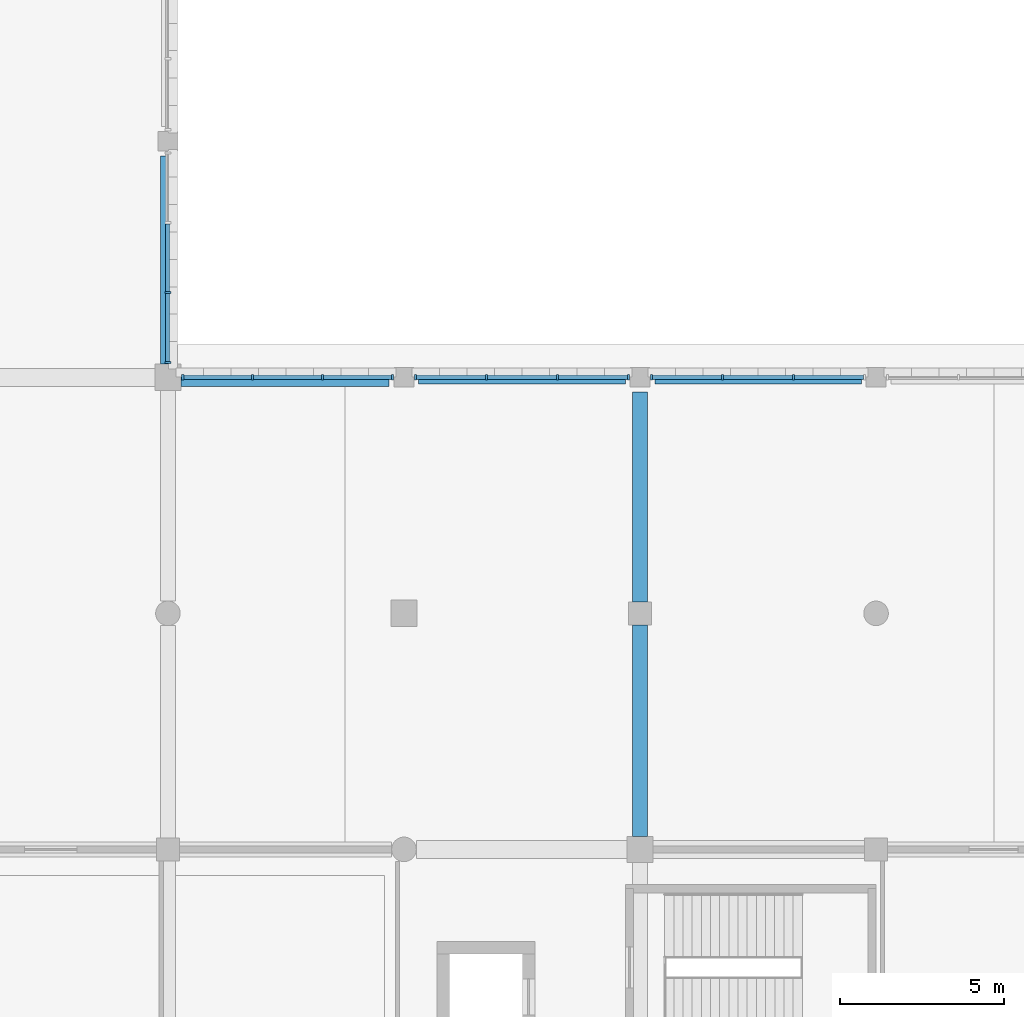
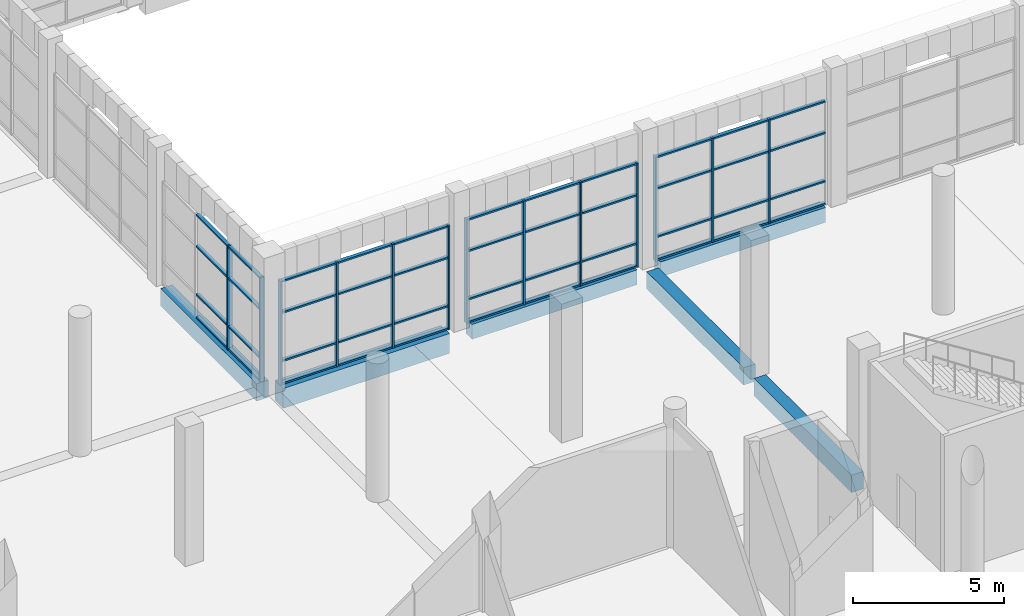
# One storey, part 13 of 80: 57 members, 6 beams, 4 elements without a shape of their own.
"""IFC4 building model written with IfcOpenShell, lengths in metres."""

from ifc_helpers import new_model, si_unit, direction, frame, origin, origin_2d, place, context, subcontext, project, spatial, rectangle, extrude, material, material_profile, profile_set, type_object, element, aggregate, save


model = new_model("IFC4")

# Units and contexts
model_context = context("Model", 3, precision=1e-05, world=origin(), true_north=direction((0.0, 1.0)))
body_context = subcontext(model_context, "Body", "Model", "MODEL_VIEW")
ifc_project = project(units=[si_unit("LENGTHUNIT", "METRE"), si_unit("AREAUNIT", "SQUARE_METRE"), si_unit("VOLUMEUNIT", "CUBIC_METRE"), si_unit("PLANEANGLEUNIT", "RADIAN"), si_unit("MASSUNIT", "GRAM", prefix="KILO")], contexts=[model_context])

# Site, building, storey
site_placement = place(None, origin())
site = spatial("IfcSite", under=ifc_project, at=site_placement, CompositionType="ELEMENT")
building_placement = place(site_placement, origin())
building = spatial("IfcBuilding", under=site, at=building_placement, Name="Sardonyx Promenade Sports Hall", CompositionType="ELEMENT")
storey_placement = place(building_placement, frame((0.0, 0.0, 5.60009765625)))
storey = spatial("IfcBuildingStorey", under=building, at=storey_placement, Name="L01", CompositionType="ELEMENT", Elevation=5.60009765625)

# Beams
ifc_material_1 = material(Name="Concrete C40/50", Category="concrete")
ifc_material_profile_1 = material_profile(ifc_material_1, rectangle(XDim=0.550048828125, YDim=0.800048828125, at=origin_2d()))
ifc_profile_set_1 = profile_set([ifc_material_profile_1], Name="Concrete C40/50")
beam_type_1 = type_object("IfcBeamType", Name="Bm_Girder_RC800", PredefinedType="BEAM", material=ifc_profile_set_1)
beam_1_placement = place(storey_placement, frame((43.60009765625, 43.199951171875, -0.400146484375), z_axis=(1.0, 0.0, 0.0), x_axis=(0.0, 1.0, 0.0)))
element("IfcBeam", 1, at=beam_1_placement, inside=storey, type_object=beam_type_1, Name="Beam BG04 L01 #234", PredefinedType="BEAM", context=body_context, shape_type="SweptSolid", body=[
    extrude(rectangle(XDim=0.550048828125, YDim=0.800048828125, at=origin_2d()), origin(), (0.0, 0.0, 1.0), 6.349853515625),
])
ifc_material_2 = material(Name="Concrete C40/50", Category="concrete")
ifc_material_profile_2 = material_profile(ifc_material_2, rectangle(XDim=0.449951171875, YDim=0.699951171875, at=origin_2d()))
ifc_profile_set_2 = profile_set([ifc_material_profile_2], Name="Concrete C40/50")
beam_type_2 = type_object("IfcBeamType", Name="Bm_Primary_RC700", PredefinedType="BEAM", material=ifc_profile_set_2)
beam_2_placement = place(storey_placement, frame((43.199951171875, 43.60009765625, -0.35009765625), z_axis=(0.0, 1.0, 0.0), x_axis=(-1.0, 0.0, 0.0)))
element("IfcBeam", 2, at=beam_2_placement, inside=storey, type_object=beam_type_2, Name="Beam BG01 L01 #326", PredefinedType="BEAM", context=body_context, shape_type="SweptSolid", body=[
    extrude(rectangle(XDim=0.449951171875, YDim=0.699951171875, at=origin_2d()), origin(), (0.0, 0.0, 1.0), 6.349853515625),
])
beam_3_placement = place(storey_placement, frame((57.60009765625, 29.199951171875, -0.35009765625), z_axis=(0.0, 1.0, 0.0), x_axis=(-1.0, 0.0, 0.0)))
element("IfcBeam", 3, at=beam_3_placement, inside=storey, type_object=beam_type_2, Name="Beam BG01 L01 #335", PredefinedType="BEAM", context=body_context, shape_type="SweptSolid", body=[
    extrude(rectangle(XDim=0.449951171875, YDim=0.699951171875, at=origin_2d()), origin(), (0.0, 0.0, 1.0), 6.449951171875),
])
beam_4_placement = place(storey_placement, frame((57.60009765625, 36.35009765625, -0.35009765625), z_axis=(0.0, 1.0, 0.0), x_axis=(-1.0, 0.0, 0.0)))
element("IfcBeam", 4, at=beam_4_placement, inside=storey, type_object=beam_type_2, Name="Beam BG01 L01 #336", PredefinedType="BEAM", context=body_context, shape_type="SweptSolid", body=[
    extrude(rectangle(XDim=0.449951171875, YDim=0.699951171875, at=origin_2d()), origin(), (0.0, 0.0, 1.0), 6.39990234375),
])
ifc_material_3 = material(Name="Concrete C40/50", Category="concrete")
ifc_material_profile_3 = material_profile(ifc_material_3, rectangle(XDim=0.39990234375, YDim=0.60009765625, at=origin_2d()))
ifc_profile_set_3 = profile_set([ifc_material_profile_3], Name="Concrete C40/50")
beam_type_3 = type_object("IfcBeamType", Name="Bm_Spandrel_RC600", PredefinedType="SPANDREL", material=ifc_profile_set_3)
beam_5_placement = place(storey_placement, frame((50.85009765625, 43.199951171875, -0.300048828125), z_axis=(1.0, 0.0, 0.0), x_axis=(0.0, 1.0, 0.0)))
element("IfcBeam", 5, at=beam_5_placement, inside=storey, type_object=beam_type_3, Name="Beam SPB1 L01 #235", PredefinedType="SPANDREL", context=body_context, shape_type="SweptSolid", body=[
    extrude(rectangle(XDim=0.39990234375, YDim=0.60009765625, at=origin_2d()), origin(), (0.0, 0.0, 1.0), 6.2998046875),
])
beam_6_placement = place(storey_placement, frame((58.050048828125, 43.199951171875, -0.300048828125), z_axis=(1.0, 0.0, 0.0), x_axis=(0.0, 1.0, 0.0)))
element("IfcBeam", 6, at=beam_6_placement, inside=storey, type_object=beam_type_3, Name="Beam SPB1 L01 #236", PredefinedType="SPANDREL", context=body_context, shape_type="SweptSolid", body=[
    extrude(rectangle(XDim=0.39990234375, YDim=0.60009765625, at=origin_2d()), origin(), (0.0, 0.0, 1.0), 6.300048828125),
])

# Curtain wall, members
ifc_material_4 = material(Name="Aluminium 6063-T6", Category="aluminium")
curtain_wall_type = type_object("IfcCurtainWallType", Name="CW_Riwaq_L01_640", PredefinedType="USERDEFINED", material=ifc_material_4)
curtain_wall_1_placement = place(storey_placement, origin())
curtain_wall_1 = element("IfcCurtainWall", 7, at=curtain_wall_1_placement, inside=storey, type_object=curtain_wall_type, Name="Curtain wall CW18 cw:L01:126", ObjectType="CURTAIN WALL", PredefinedType="USERDEFINED")
ifc_material_5 = material(Name="Aluminium 6063-T6", Category="aluminium")
ifc_material_profile_4 = material_profile(ifc_material_5, rectangle(XDim=0.06494140625, YDim=0.175048828125, at=origin_2d()))
ifc_profile_set_4 = profile_set([ifc_material_profile_4], Name="Aluminium 6063-T6")
member_type_1 = type_object("IfcMemberType", Name="CW_Mull_175", PredefinedType="MULLION", material=ifc_profile_set_4)
member_1_placement = place(storey_placement, frame((43.652587890625, 43.199951171875, 0.0), z_axis=(0.0, 0.0, 1.0), x_axis=(1.0, 0.0, 0.0)))
member_1 = element("IfcMember", 8, at=member_1_placement, type_object=member_type_1, Name="Mullion CM02 cw:L01:126 #1", PredefinedType="MULLION", context=body_context, shape_type="SweptSolid", body=[
    extrude(rectangle(XDim=0.06494140625, YDim=0.175048828125, at=origin_2d()), origin(), (0.0, 0.0, 1.0), 4.199951171875),
])
member_2_placement = place(storey_placement, frame((45.7841796875, 43.199951171875, 0.0), z_axis=(0.0, 0.0, 1.0), x_axis=(1.0, 0.0, 0.0)))
member_2 = element("IfcMember", 9, at=member_2_placement, type_object=member_type_1, Name="Mullion CM02 cw:L01:126 #2", PredefinedType="MULLION", context=body_context, shape_type="SweptSolid", body=[
    extrude(rectangle(XDim=0.06494140625, YDim=0.175048828125, at=origin_2d()), origin(), (0.0, 0.0, 1.0), 4.199951171875),
])
member_3_placement = place(storey_placement, frame((47.915771484375, 43.199951171875, 0.0), z_axis=(0.0, 0.0, 1.0), x_axis=(1.0, 0.0, 0.0)))
member_3 = element("IfcMember", 10, at=member_3_placement, type_object=member_type_1, Name="Mullion CM02 cw:L01:126 #3", PredefinedType="MULLION", context=body_context, shape_type="SweptSolid", body=[
    extrude(rectangle(XDim=0.06494140625, YDim=0.175048828125, at=origin_2d()), origin(), (0.0, 0.0, 1.0), 4.199951171875),
])
member_4_placement = place(storey_placement, frame((50.047607421875, 43.199951171875, 0.0), z_axis=(0.0, 0.0, 1.0), x_axis=(1.0, 0.0, 0.0)))
member_4 = element("IfcMember", 11, at=member_4_placement, type_object=member_type_1, Name="Mullion CM02 cw:L01:126 #4", PredefinedType="MULLION", context=body_context, shape_type="SweptSolid", body=[
    extrude(rectangle(XDim=0.06494140625, YDim=0.175048828125, at=origin_2d()), origin(), (0.0, 0.0, 1.0), 4.199951171875),
])

curtain_wall_2_placement = place(storey_placement, origin())
curtain_wall_2 = element("IfcCurtainWall", 12, at=curtain_wall_2_placement, inside=storey, type_object=curtain_wall_type, Name="Curtain wall CW18 cw:L01:128", ObjectType="CURTAIN WALL", PredefinedType="USERDEFINED")
member_5_placement = place(storey_placement, frame((50.75244140625, 43.199951171875, 0.0), z_axis=(0.0, 0.0, 1.0), x_axis=(1.0, 0.0, 0.0)))
member_5 = element("IfcMember", 13, at=member_5_placement, type_object=member_type_1, Name="Mullion CM02 cw:L01:128 #1", PredefinedType="MULLION", context=body_context, shape_type="SweptSolid", body=[
    extrude(rectangle(XDim=0.06494140625, YDim=0.175048828125, at=origin_2d()), origin(), (0.0, 0.0, 1.0), 4.199951171875),
])
member_6_placement = place(storey_placement, frame((52.91748046875, 43.199951171875, 0.0), z_axis=(0.0, 0.0, 1.0), x_axis=(1.0, 0.0, 0.0)))
member_6 = element("IfcMember", 14, at=member_6_placement, type_object=member_type_1, Name="Mullion CM02 cw:L01:128 #2", PredefinedType="MULLION", context=body_context, shape_type="SweptSolid", body=[
    extrude(rectangle(XDim=0.06494140625, YDim=0.175048828125, at=origin_2d()), origin(), (0.0, 0.0, 1.0), 4.199951171875),
])
member_7_placement = place(storey_placement, frame((55.08251953125, 43.199951171875, 0.0), z_axis=(0.0, 0.0, 1.0), x_axis=(1.0, 0.0, 0.0)))
member_7 = element("IfcMember", 15, at=member_7_placement, type_object=member_type_1, Name="Mullion CM02 cw:L01:128 #3", PredefinedType="MULLION", context=body_context, shape_type="SweptSolid", body=[
    extrude(rectangle(XDim=0.06494140625, YDim=0.175048828125, at=origin_2d()), origin(), (0.0, 0.0, 1.0), 4.199951171875),
])
member_8_placement = place(storey_placement, frame((57.24755859375, 43.199951171875, 0.0), z_axis=(0.0, 0.0, 1.0), x_axis=(1.0, 0.0, 0.0)))
member_8 = element("IfcMember", 16, at=member_8_placement, type_object=member_type_1, Name="Mullion CM02 cw:L01:128 #4", PredefinedType="MULLION", context=body_context, shape_type="SweptSolid", body=[
    extrude(rectangle(XDim=0.06494140625, YDim=0.175048828125, at=origin_2d()), origin(), (0.0, 0.0, 1.0), 4.199951171875),
])

curtain_wall_3_placement = place(storey_placement, origin())
curtain_wall_3 = element("IfcCurtainWall", 17, at=curtain_wall_3_placement, inside=storey, type_object=curtain_wall_type, Name="Curtain wall CW18 cw:L01:130", ObjectType="CURTAIN WALL", PredefinedType="USERDEFINED")
member_9_placement = place(storey_placement, frame((57.952392578125, 43.199951171875, 0.0), z_axis=(0.0, 0.0, 1.0), x_axis=(1.0, 0.0, 0.0)))
member_9 = element("IfcMember", 18, at=member_9_placement, type_object=member_type_1, Name="Mullion CM02 cw:L01:130 #1", PredefinedType="MULLION", context=body_context, shape_type="SweptSolid", body=[
    extrude(rectangle(XDim=0.06494140625, YDim=0.175048828125, at=origin_2d()), origin(), (0.0, 0.0, 1.0), 4.199951171875),
])
member_10_placement = place(storey_placement, frame((60.117431640625, 43.199951171875, 0.0), z_axis=(0.0, 0.0, 1.0), x_axis=(1.0, 0.0, 0.0)))
member_10 = element("IfcMember", 19, at=member_10_placement, type_object=member_type_1, Name="Mullion CM02 cw:L01:130 #2", PredefinedType="MULLION", context=body_context, shape_type="SweptSolid", body=[
    extrude(rectangle(XDim=0.06494140625, YDim=0.175048828125, at=origin_2d()), origin(), (0.0, 0.0, 1.0), 4.199951171875),
])
member_11_placement = place(storey_placement, frame((62.282470703125, 43.199951171875, 0.0), z_axis=(0.0, 0.0, 1.0), x_axis=(1.0, 0.0, 0.0)))
member_11 = element("IfcMember", 20, at=member_11_placement, type_object=member_type_1, Name="Mullion CM02 cw:L01:130 #3", PredefinedType="MULLION", context=body_context, shape_type="SweptSolid", body=[
    extrude(rectangle(XDim=0.06494140625, YDim=0.175048828125, at=origin_2d()), origin(), (0.0, 0.0, 1.0), 4.199951171875),
])

curtain_wall_4_placement = place(storey_placement, origin())
curtain_wall_4 = element("IfcCurtainWall", 21, at=curtain_wall_4_placement, inside=storey, type_object=curtain_wall_type, Name="Curtain wall CW18 cw:L01:140", ObjectType="CURTAIN WALL", PredefinedType="USERDEFINED")
member_12_placement = place(storey_placement, frame((43.199951171875, 45.7841796875, 0.0), z_axis=(0.0, 0.0, 1.0), x_axis=(0.0, -1.0, 0.0)))
member_12 = element("IfcMember", 22, at=member_12_placement, type_object=member_type_1, Name="Mullion CM02 cw:L01:140 #3", PredefinedType="MULLION", context=body_context, shape_type="SweptSolid", body=[
    extrude(rectangle(XDim=0.06494140625, YDim=0.175048828125, at=origin_2d()), origin(), (0.0, 0.0, 1.0), 4.199951171875),
])
member_13_placement = place(storey_placement, frame((43.199951171875, 43.652587890625, 0.0), z_axis=(0.0, 0.0, 1.0), x_axis=(0.0, -1.0, 0.0)))
member_13 = element("IfcMember", 23, at=member_13_placement, type_object=member_type_1, Name="Mullion CM02 cw:L01:140 #4", PredefinedType="MULLION", context=body_context, shape_type="SweptSolid", body=[
    extrude(rectangle(XDim=0.06494140625, YDim=0.175048828125, at=origin_2d()), origin(), (0.0, 0.0, 1.0), 4.199951171875),
])

# Member
ifc_material_6 = material(Name="Aluminium 6063-T6", Category="aluminium")
ifc_material_profile_5 = material_profile(ifc_material_6, rectangle(XDim=0.06494140625, YDim=0.139892578125, at=origin_2d()))
ifc_profile_set_5 = profile_set([ifc_material_profile_5], Name="Aluminium 6063-T6")
member_type_2 = type_object("IfcMemberType", Name="CW_Tran_140", PredefinedType="USERDEFINED", material=ifc_profile_set_5)
member_14_placement = place(storey_placement, frame((43.68505859375, 43.199951171875, 0.032470703125), z_axis=(1.0, 0.0, 0.0), x_axis=(0.0, 0.0, 1.0)))
member_14 = element("IfcMember", 24, at=member_14_placement, type_object=member_type_2, Name="Transom CT02 cw:L01:126 #1", ObjectType="TRANSOM", PredefinedType="USERDEFINED", context=body_context, shape_type="SweptSolid", body=[
    extrude(rectangle(XDim=0.06494140625, YDim=0.139892578125, at=origin_2d()), origin(), (0.0, 0.0, 1.0), 2.066650390625),
])

member_15_placement = place(storey_placement, frame((43.68505859375, 43.199951171875, 0.949951171875), z_axis=(1.0, 0.0, 0.0), x_axis=(0.0, 0.0, 1.0)))
member_15 = element("IfcMember", 25, at=member_15_placement, type_object=member_type_2, Name="Transom CT02 cw:L01:126 #2", ObjectType="TRANSOM", PredefinedType="USERDEFINED", context=body_context, shape_type="SweptSolid", body=[
    extrude(rectangle(XDim=0.06494140625, YDim=0.139892578125, at=origin_2d()), origin(), (0.0, 0.0, 1.0), 2.066650390625),
])

member_16_placement = place(storey_placement, frame((43.68505859375, 43.199951171875, 2.89990234375), z_axis=(1.0, 0.0, 0.0), x_axis=(0.0, 0.0, 1.0)))
member_16 = element("IfcMember", 26, at=member_16_placement, type_object=member_type_2, Name="Transom CT02 cw:L01:126 #3", ObjectType="TRANSOM", PredefinedType="USERDEFINED", context=body_context, shape_type="SweptSolid", body=[
    extrude(rectangle(XDim=0.06494140625, YDim=0.139892578125, at=origin_2d()), origin(), (0.0, 0.0, 1.0), 2.066650390625),
])

member_17_placement = place(storey_placement, frame((43.68505859375, 43.199951171875, 4.16748046875), z_axis=(1.0, 0.0, 0.0), x_axis=(0.0, 0.0, 1.0)))
member_17 = element("IfcMember", 27, at=member_17_placement, type_object=member_type_2, Name="Transom CT02 cw:L01:126 #4", ObjectType="TRANSOM", PredefinedType="USERDEFINED", context=body_context, shape_type="SweptSolid", body=[
    extrude(rectangle(XDim=0.06494140625, YDim=0.139892578125, at=origin_2d()), origin(), (0.0, 0.0, 1.0), 2.066650390625),
])

member_18_placement = place(storey_placement, frame((45.816650390625, 43.199951171875, 0.032470703125), z_axis=(1.0, 0.0, 0.0), x_axis=(0.0, 0.0, 1.0)))
member_18 = element("IfcMember", 28, at=member_18_placement, type_object=member_type_2, Name="Transom CT02 cw:L01:126 #5", ObjectType="TRANSOM", PredefinedType="USERDEFINED", context=body_context, shape_type="SweptSolid", body=[
    extrude(rectangle(XDim=0.06494140625, YDim=0.139892578125, at=origin_2d()), origin(), (0.0, 0.0, 1.0), 2.066650390625),
])

member_19_placement = place(storey_placement, frame((45.816650390625, 43.199951171875, 0.949951171875), z_axis=(1.0, 0.0, 0.0), x_axis=(0.0, 0.0, 1.0)))
member_19 = element("IfcMember", 29, at=member_19_placement, type_object=member_type_2, Name="Transom CT02 cw:L01:126 #6", ObjectType="TRANSOM", PredefinedType="USERDEFINED", context=body_context, shape_type="SweptSolid", body=[
    extrude(rectangle(XDim=0.06494140625, YDim=0.139892578125, at=origin_2d()), origin(), (0.0, 0.0, 1.0), 2.066650390625),
])

member_20_placement = place(storey_placement, frame((45.816650390625, 43.199951171875, 2.89990234375), z_axis=(1.0, 0.0, 0.0), x_axis=(0.0, 0.0, 1.0)))
member_20 = element("IfcMember", 30, at=member_20_placement, type_object=member_type_2, Name="Transom CT02 cw:L01:126 #7", ObjectType="TRANSOM", PredefinedType="USERDEFINED", context=body_context, shape_type="SweptSolid", body=[
    extrude(rectangle(XDim=0.06494140625, YDim=0.139892578125, at=origin_2d()), origin(), (0.0, 0.0, 1.0), 2.066650390625),
])

member_21_placement = place(storey_placement, frame((45.816650390625, 43.199951171875, 4.16748046875), z_axis=(1.0, 0.0, 0.0), x_axis=(0.0, 0.0, 1.0)))
member_21 = element("IfcMember", 31, at=member_21_placement, type_object=member_type_2, Name="Transom CT02 cw:L01:126 #8", ObjectType="TRANSOM", PredefinedType="USERDEFINED", context=body_context, shape_type="SweptSolid", body=[
    extrude(rectangle(XDim=0.06494140625, YDim=0.139892578125, at=origin_2d()), origin(), (0.0, 0.0, 1.0), 2.066650390625),
])

member_22_placement = place(storey_placement, frame((47.9482421875, 43.199951171875, 0.032470703125), z_axis=(1.0, 0.0, 0.0), x_axis=(0.0, 0.0, 1.0)))
member_22 = element("IfcMember", 32, at=member_22_placement, type_object=member_type_2, Name="Transom CT02 cw:L01:126 #9", ObjectType="TRANSOM", PredefinedType="USERDEFINED", context=body_context, shape_type="SweptSolid", body=[
    extrude(rectangle(XDim=0.06494140625, YDim=0.139892578125, at=origin_2d()), origin(), (0.0, 0.0, 1.0), 2.066650390625),
])

member_23_placement = place(storey_placement, frame((47.9482421875, 43.199951171875, 0.949951171875), z_axis=(1.0, 0.0, 0.0), x_axis=(0.0, 0.0, 1.0)))
member_23 = element("IfcMember", 33, at=member_23_placement, type_object=member_type_2, Name="Transom CT02 cw:L01:126 #10", ObjectType="TRANSOM", PredefinedType="USERDEFINED", context=body_context, shape_type="SweptSolid", body=[
    extrude(rectangle(XDim=0.06494140625, YDim=0.139892578125, at=origin_2d()), origin(), (0.0, 0.0, 1.0), 2.066650390625),
])

member_24_placement = place(storey_placement, frame((47.9482421875, 43.199951171875, 2.89990234375), z_axis=(1.0, 0.0, 0.0), x_axis=(0.0, 0.0, 1.0)))
member_24 = element("IfcMember", 34, at=member_24_placement, type_object=member_type_2, Name="Transom CT02 cw:L01:126 #11", ObjectType="TRANSOM", PredefinedType="USERDEFINED", context=body_context, shape_type="SweptSolid", body=[
    extrude(rectangle(XDim=0.06494140625, YDim=0.139892578125, at=origin_2d()), origin(), (0.0, 0.0, 1.0), 2.066650390625),
])

member_25_placement = place(storey_placement, frame((47.9482421875, 43.199951171875, 4.16748046875), z_axis=(1.0, 0.0, 0.0), x_axis=(0.0, 0.0, 1.0)))
member_25 = element("IfcMember", 35, at=member_25_placement, type_object=member_type_2, Name="Transom CT02 cw:L01:126 #12", ObjectType="TRANSOM", PredefinedType="USERDEFINED", context=body_context, shape_type="SweptSolid", body=[
    extrude(rectangle(XDim=0.06494140625, YDim=0.139892578125, at=origin_2d()), origin(), (0.0, 0.0, 1.0), 2.066650390625),
])

aggregate(curtain_wall_1, [member_1, member_2, member_3, member_4, member_14, member_15, member_16, member_17, member_18, member_19, member_20, member_21, member_22, member_23, member_24, member_25])

member_26_placement = place(storey_placement, frame((50.784912109375, 43.199951171875, 0.032470703125), z_axis=(1.0, 0.0, 0.0), x_axis=(0.0, 0.0, 1.0)))
member_26 = element("IfcMember", 36, at=member_26_placement, type_object=member_type_2, Name="Transom CT02 cw:L01:128 #1", ObjectType="TRANSOM", PredefinedType="USERDEFINED", context=body_context, shape_type="SweptSolid", body=[
    extrude(rectangle(XDim=0.06494140625, YDim=0.139892578125, at=origin_2d()), origin(), (0.0, 0.0, 1.0), 2.10009765625),
])

member_27_placement = place(storey_placement, frame((50.784912109375, 43.199951171875, 0.949951171875), z_axis=(1.0, 0.0, 0.0), x_axis=(0.0, 0.0, 1.0)))
member_27 = element("IfcMember", 37, at=member_27_placement, type_object=member_type_2, Name="Transom CT02 cw:L01:128 #2", ObjectType="TRANSOM", PredefinedType="USERDEFINED", context=body_context, shape_type="SweptSolid", body=[
    extrude(rectangle(XDim=0.06494140625, YDim=0.139892578125, at=origin_2d()), origin(), (0.0, 0.0, 1.0), 2.10009765625),
])

member_28_placement = place(storey_placement, frame((50.784912109375, 43.199951171875, 2.89990234375), z_axis=(1.0, 0.0, 0.0), x_axis=(0.0, 0.0, 1.0)))
member_28 = element("IfcMember", 38, at=member_28_placement, type_object=member_type_2, Name="Transom CT02 cw:L01:128 #3", ObjectType="TRANSOM", PredefinedType="USERDEFINED", context=body_context, shape_type="SweptSolid", body=[
    extrude(rectangle(XDim=0.06494140625, YDim=0.139892578125, at=origin_2d()), origin(), (0.0, 0.0, 1.0), 2.10009765625),
])

member_29_placement = place(storey_placement, frame((50.784912109375, 43.199951171875, 4.16748046875), z_axis=(1.0, 0.0, 0.0), x_axis=(0.0, 0.0, 1.0)))
member_29 = element("IfcMember", 39, at=member_29_placement, type_object=member_type_2, Name="Transom CT02 cw:L01:128 #4", ObjectType="TRANSOM", PredefinedType="USERDEFINED", context=body_context, shape_type="SweptSolid", body=[
    extrude(rectangle(XDim=0.06494140625, YDim=0.139892578125, at=origin_2d()), origin(), (0.0, 0.0, 1.0), 2.10009765625),
])

member_30_placement = place(storey_placement, frame((52.949951171875, 43.199951171875, 0.032470703125), z_axis=(1.0, 0.0, 0.0), x_axis=(0.0, 0.0, 1.0)))
member_30 = element("IfcMember", 40, at=member_30_placement, type_object=member_type_2, Name="Transom CT02 cw:L01:128 #5", ObjectType="TRANSOM", PredefinedType="USERDEFINED", context=body_context, shape_type="SweptSolid", body=[
    extrude(rectangle(XDim=0.06494140625, YDim=0.139892578125, at=origin_2d()), origin(), (0.0, 0.0, 1.0), 2.10009765625),
])

member_31_placement = place(storey_placement, frame((52.949951171875, 43.199951171875, 0.949951171875), z_axis=(1.0, 0.0, 0.0), x_axis=(0.0, 0.0, 1.0)))
member_31 = element("IfcMember", 41, at=member_31_placement, type_object=member_type_2, Name="Transom CT02 cw:L01:128 #6", ObjectType="TRANSOM", PredefinedType="USERDEFINED", context=body_context, shape_type="SweptSolid", body=[
    extrude(rectangle(XDim=0.06494140625, YDim=0.139892578125, at=origin_2d()), origin(), (0.0, 0.0, 1.0), 2.10009765625),
])

member_32_placement = place(storey_placement, frame((52.949951171875, 43.199951171875, 2.89990234375), z_axis=(1.0, 0.0, 0.0), x_axis=(0.0, 0.0, 1.0)))
member_32 = element("IfcMember", 42, at=member_32_placement, type_object=member_type_2, Name="Transom CT02 cw:L01:128 #7", ObjectType="TRANSOM", PredefinedType="USERDEFINED", context=body_context, shape_type="SweptSolid", body=[
    extrude(rectangle(XDim=0.06494140625, YDim=0.139892578125, at=origin_2d()), origin(), (0.0, 0.0, 1.0), 2.10009765625),
])

member_33_placement = place(storey_placement, frame((52.949951171875, 43.199951171875, 4.16748046875), z_axis=(1.0, 0.0, 0.0), x_axis=(0.0, 0.0, 1.0)))
member_33 = element("IfcMember", 43, at=member_33_placement, type_object=member_type_2, Name="Transom CT02 cw:L01:128 #8", ObjectType="TRANSOM", PredefinedType="USERDEFINED", context=body_context, shape_type="SweptSolid", body=[
    extrude(rectangle(XDim=0.06494140625, YDim=0.139892578125, at=origin_2d()), origin(), (0.0, 0.0, 1.0), 2.10009765625),
])

member_34_placement = place(storey_placement, frame((55.114990234375, 43.199951171875, 0.032470703125), z_axis=(1.0, 0.0, 0.0), x_axis=(0.0, 0.0, 1.0)))
member_34 = element("IfcMember", 44, at=member_34_placement, type_object=member_type_2, Name="Transom CT02 cw:L01:128 #9", ObjectType="TRANSOM", PredefinedType="USERDEFINED", context=body_context, shape_type="SweptSolid", body=[
    extrude(rectangle(XDim=0.06494140625, YDim=0.139892578125, at=origin_2d()), origin(), (0.0, 0.0, 1.0), 2.10009765625),
])

member_35_placement = place(storey_placement, frame((55.114990234375, 43.199951171875, 0.949951171875), z_axis=(1.0, 0.0, 0.0), x_axis=(0.0, 0.0, 1.0)))
member_35 = element("IfcMember", 45, at=member_35_placement, type_object=member_type_2, Name="Transom CT02 cw:L01:128 #10", ObjectType="TRANSOM", PredefinedType="USERDEFINED", context=body_context, shape_type="SweptSolid", body=[
    extrude(rectangle(XDim=0.06494140625, YDim=0.139892578125, at=origin_2d()), origin(), (0.0, 0.0, 1.0), 2.10009765625),
])

member_36_placement = place(storey_placement, frame((55.114990234375, 43.199951171875, 2.89990234375), z_axis=(1.0, 0.0, 0.0), x_axis=(0.0, 0.0, 1.0)))
member_36 = element("IfcMember", 46, at=member_36_placement, type_object=member_type_2, Name="Transom CT02 cw:L01:128 #11", ObjectType="TRANSOM", PredefinedType="USERDEFINED", context=body_context, shape_type="SweptSolid", body=[
    extrude(rectangle(XDim=0.06494140625, YDim=0.139892578125, at=origin_2d()), origin(), (0.0, 0.0, 1.0), 2.10009765625),
])

member_37_placement = place(storey_placement, frame((55.114990234375, 43.199951171875, 4.16748046875), z_axis=(1.0, 0.0, 0.0), x_axis=(0.0, 0.0, 1.0)))
member_37 = element("IfcMember", 47, at=member_37_placement, type_object=member_type_2, Name="Transom CT02 cw:L01:128 #12", ObjectType="TRANSOM", PredefinedType="USERDEFINED", context=body_context, shape_type="SweptSolid", body=[
    extrude(rectangle(XDim=0.06494140625, YDim=0.139892578125, at=origin_2d()), origin(), (0.0, 0.0, 1.0), 2.10009765625),
])

aggregate(curtain_wall_2, [member_5, member_6, member_7, member_8, member_26, member_27, member_28, member_29, member_30, member_31, member_32, member_33, member_34, member_35, member_36, member_37])

member_38_placement = place(storey_placement, frame((57.985107421875, 43.199951171875, 0.032470703125), z_axis=(1.0, 0.0, 0.0), x_axis=(0.0, 0.0, 1.0)))
member_38 = element("IfcMember", 48, at=member_38_placement, type_object=member_type_2, Name="Transom CT02 cw:L01:130 #1", ObjectType="TRANSOM", PredefinedType="USERDEFINED", context=body_context, shape_type="SweptSolid", body=[
    extrude(rectangle(XDim=0.06494140625, YDim=0.139892578125, at=origin_2d()), origin(), (0.0, 0.0, 1.0), 2.099853515625),
])

member_39_placement = place(storey_placement, frame((57.985107421875, 43.199951171875, 0.949951171875), z_axis=(1.0, 0.0, 0.0), x_axis=(0.0, 0.0, 1.0)))
member_39 = element("IfcMember", 49, at=member_39_placement, type_object=member_type_2, Name="Transom CT02 cw:L01:130 #2", ObjectType="TRANSOM", PredefinedType="USERDEFINED", context=body_context, shape_type="SweptSolid", body=[
    extrude(rectangle(XDim=0.06494140625, YDim=0.139892578125, at=origin_2d()), origin(), (0.0, 0.0, 1.0), 2.099853515625),
])

member_40_placement = place(storey_placement, frame((57.985107421875, 43.199951171875, 2.89990234375), z_axis=(1.0, 0.0, 0.0), x_axis=(0.0, 0.0, 1.0)))
member_40 = element("IfcMember", 50, at=member_40_placement, type_object=member_type_2, Name="Transom CT02 cw:L01:130 #3", ObjectType="TRANSOM", PredefinedType="USERDEFINED", context=body_context, shape_type="SweptSolid", body=[
    extrude(rectangle(XDim=0.06494140625, YDim=0.139892578125, at=origin_2d()), origin(), (0.0, 0.0, 1.0), 2.099853515625),
])

member_41_placement = place(storey_placement, frame((57.985107421875, 43.199951171875, 4.16748046875), z_axis=(1.0, 0.0, 0.0), x_axis=(0.0, 0.0, 1.0)))
member_41 = element("IfcMember", 51, at=member_41_placement, type_object=member_type_2, Name="Transom CT02 cw:L01:130 #4", ObjectType="TRANSOM", PredefinedType="USERDEFINED", context=body_context, shape_type="SweptSolid", body=[
    extrude(rectangle(XDim=0.06494140625, YDim=0.139892578125, at=origin_2d()), origin(), (0.0, 0.0, 1.0), 2.099853515625),
])

member_42_placement = place(storey_placement, frame((60.14990234375, 43.199951171875, 0.032470703125), z_axis=(1.0, 0.0, 0.0), x_axis=(0.0, 0.0, 1.0)))
member_42 = element("IfcMember", 52, at=member_42_placement, type_object=member_type_2, Name="Transom CT02 cw:L01:130 #5", ObjectType="TRANSOM", PredefinedType="USERDEFINED", context=body_context, shape_type="SweptSolid", body=[
    extrude(rectangle(XDim=0.06494140625, YDim=0.139892578125, at=origin_2d()), origin(), (0.0, 0.0, 1.0), 2.10009765625),
])

member_43_placement = place(storey_placement, frame((60.14990234375, 43.199951171875, 0.949951171875), z_axis=(1.0, 0.0, 0.0), x_axis=(0.0, 0.0, 1.0)))
member_43 = element("IfcMember", 53, at=member_43_placement, type_object=member_type_2, Name="Transom CT02 cw:L01:130 #6", ObjectType="TRANSOM", PredefinedType="USERDEFINED", context=body_context, shape_type="SweptSolid", body=[
    extrude(rectangle(XDim=0.06494140625, YDim=0.139892578125, at=origin_2d()), origin(), (0.0, 0.0, 1.0), 2.10009765625),
])

member_44_placement = place(storey_placement, frame((60.14990234375, 43.199951171875, 2.89990234375), z_axis=(1.0, 0.0, 0.0), x_axis=(0.0, 0.0, 1.0)))
member_44 = element("IfcMember", 54, at=member_44_placement, type_object=member_type_2, Name="Transom CT02 cw:L01:130 #7", ObjectType="TRANSOM", PredefinedType="USERDEFINED", context=body_context, shape_type="SweptSolid", body=[
    extrude(rectangle(XDim=0.06494140625, YDim=0.139892578125, at=origin_2d()), origin(), (0.0, 0.0, 1.0), 2.10009765625),
])

member_45_placement = place(storey_placement, frame((60.14990234375, 43.199951171875, 4.16748046875), z_axis=(1.0, 0.0, 0.0), x_axis=(0.0, 0.0, 1.0)))
member_45 = element("IfcMember", 55, at=member_45_placement, type_object=member_type_2, Name="Transom CT02 cw:L01:130 #8", ObjectType="TRANSOM", PredefinedType="USERDEFINED", context=body_context, shape_type="SweptSolid", body=[
    extrude(rectangle(XDim=0.06494140625, YDim=0.139892578125, at=origin_2d()), origin(), (0.0, 0.0, 1.0), 2.10009765625),
])

member_46_placement = place(storey_placement, frame((62.31494140625, 43.199951171875, 0.032470703125), z_axis=(1.0, 0.0, 0.0), x_axis=(0.0, 0.0, 1.0)))
member_46 = element("IfcMember", 56, at=member_46_placement, type_object=member_type_2, Name="Transom CT02 cw:L01:130 #9", ObjectType="TRANSOM", PredefinedType="USERDEFINED", context=body_context, shape_type="SweptSolid", body=[
    extrude(rectangle(XDim=0.06494140625, YDim=0.139892578125, at=origin_2d()), origin(), (0.0, 0.0, 1.0), 2.10009765625),
])

member_47_placement = place(storey_placement, frame((62.31494140625, 43.199951171875, 0.949951171875), z_axis=(1.0, 0.0, 0.0), x_axis=(0.0, 0.0, 1.0)))
member_47 = element("IfcMember", 57, at=member_47_placement, type_object=member_type_2, Name="Transom CT02 cw:L01:130 #10", ObjectType="TRANSOM", PredefinedType="USERDEFINED", context=body_context, shape_type="SweptSolid", body=[
    extrude(rectangle(XDim=0.06494140625, YDim=0.139892578125, at=origin_2d()), origin(), (0.0, 0.0, 1.0), 2.10009765625),
])

member_48_placement = place(storey_placement, frame((62.31494140625, 43.199951171875, 2.89990234375), z_axis=(1.0, 0.0, 0.0), x_axis=(0.0, 0.0, 1.0)))
member_48 = element("IfcMember", 58, at=member_48_placement, type_object=member_type_2, Name="Transom CT02 cw:L01:130 #11", ObjectType="TRANSOM", PredefinedType="USERDEFINED", context=body_context, shape_type="SweptSolid", body=[
    extrude(rectangle(XDim=0.06494140625, YDim=0.139892578125, at=origin_2d()), origin(), (0.0, 0.0, 1.0), 2.10009765625),
])

member_49_placement = place(storey_placement, frame((62.31494140625, 43.199951171875, 4.16748046875), z_axis=(1.0, 0.0, 0.0), x_axis=(0.0, 0.0, 1.0)))
member_49 = element("IfcMember", 59, at=member_49_placement, type_object=member_type_2, Name="Transom CT02 cw:L01:130 #12", ObjectType="TRANSOM", PredefinedType="USERDEFINED", context=body_context, shape_type="SweptSolid", body=[
    extrude(rectangle(XDim=0.06494140625, YDim=0.139892578125, at=origin_2d()), origin(), (0.0, 0.0, 1.0), 2.10009765625),
])

aggregate(curtain_wall_3, [member_9, member_10, member_11, member_38, member_39, member_40, member_41, member_42, member_43, member_44, member_45, member_46, member_47, member_48, member_49])

member_50_placement = place(storey_placement, frame((43.199951171875, 47.88330078125, 0.032470703125), z_axis=(0.0, -1.0, 0.0), x_axis=(0.0, 0.0, 1.0)))
member_50 = element("IfcMember", 60, at=member_50_placement, type_object=member_type_2, Name="Transom CT02 cw:L01:140 #5", ObjectType="TRANSOM", PredefinedType="USERDEFINED", context=body_context, shape_type="SweptSolid", body=[
    extrude(rectangle(XDim=0.06494140625, YDim=0.139892578125, at=origin_2d()), origin(), (0.0, 0.0, 1.0), 2.066650390625),
])

member_51_placement = place(storey_placement, frame((43.199951171875, 47.88330078125, 0.949951171875), z_axis=(0.0, -1.0, 0.0), x_axis=(0.0, 0.0, 1.0)))
member_51 = element("IfcMember", 61, at=member_51_placement, type_object=member_type_2, Name="Transom CT02 cw:L01:140 #6", ObjectType="TRANSOM", PredefinedType="USERDEFINED", context=body_context, shape_type="SweptSolid", body=[
    extrude(rectangle(XDim=0.06494140625, YDim=0.139892578125, at=origin_2d()), origin(), (0.0, 0.0, 1.0), 2.066650390625),
])

member_52_placement = place(storey_placement, frame((43.199951171875, 47.88330078125, 2.89990234375), z_axis=(0.0, -1.0, 0.0), x_axis=(0.0, 0.0, 1.0)))
member_52 = element("IfcMember", 62, at=member_52_placement, type_object=member_type_2, Name="Transom CT02 cw:L01:140 #7", ObjectType="TRANSOM", PredefinedType="USERDEFINED", context=body_context, shape_type="SweptSolid", body=[
    extrude(rectangle(XDim=0.06494140625, YDim=0.139892578125, at=origin_2d()), origin(), (0.0, 0.0, 1.0), 2.066650390625),
])

member_53_placement = place(storey_placement, frame((43.199951171875, 47.88330078125, 4.16748046875), z_axis=(0.0, -1.0, 0.0), x_axis=(0.0, 0.0, 1.0)))
member_53 = element("IfcMember", 63, at=member_53_placement, type_object=member_type_2, Name="Transom CT02 cw:L01:140 #8", ObjectType="TRANSOM", PredefinedType="USERDEFINED", context=body_context, shape_type="SweptSolid", body=[
    extrude(rectangle(XDim=0.06494140625, YDim=0.139892578125, at=origin_2d()), origin(), (0.0, 0.0, 1.0), 2.066650390625),
])

member_54_placement = place(storey_placement, frame((43.199951171875, 45.751708984375, 0.032470703125), z_axis=(0.0, -1.0, 0.0), x_axis=(0.0, 0.0, 1.0)))
member_54 = element("IfcMember", 64, at=member_54_placement, type_object=member_type_2, Name="Transom CT02 cw:L01:140 #9", ObjectType="TRANSOM", PredefinedType="USERDEFINED", context=body_context, shape_type="SweptSolid", body=[
    extrude(rectangle(XDim=0.06494140625, YDim=0.139892578125, at=origin_2d()), origin(), (0.0, 0.0, 1.0), 2.066650390625),
])

member_55_placement = place(storey_placement, frame((43.199951171875, 45.751708984375, 0.949951171875), z_axis=(0.0, -1.0, 0.0), x_axis=(0.0, 0.0, 1.0)))
member_55 = element("IfcMember", 65, at=member_55_placement, type_object=member_type_2, Name="Transom CT02 cw:L01:140 #10", ObjectType="TRANSOM", PredefinedType="USERDEFINED", context=body_context, shape_type="SweptSolid", body=[
    extrude(rectangle(XDim=0.06494140625, YDim=0.139892578125, at=origin_2d()), origin(), (0.0, 0.0, 1.0), 2.066650390625),
])

member_56_placement = place(storey_placement, frame((43.199951171875, 45.751708984375, 2.89990234375), z_axis=(0.0, -1.0, 0.0), x_axis=(0.0, 0.0, 1.0)))
member_56 = element("IfcMember", 66, at=member_56_placement, type_object=member_type_2, Name="Transom CT02 cw:L01:140 #11", ObjectType="TRANSOM", PredefinedType="USERDEFINED", context=body_context, shape_type="SweptSolid", body=[
    extrude(rectangle(XDim=0.06494140625, YDim=0.139892578125, at=origin_2d()), origin(), (0.0, 0.0, 1.0), 2.066650390625),
])

member_57_placement = place(storey_placement, frame((43.199951171875, 45.751708984375, 4.16748046875), z_axis=(0.0, -1.0, 0.0), x_axis=(0.0, 0.0, 1.0)))
member_57 = element("IfcMember", 67, at=member_57_placement, type_object=member_type_2, Name="Transom CT02 cw:L01:140 #12", ObjectType="TRANSOM", PredefinedType="USERDEFINED", context=body_context, shape_type="SweptSolid", body=[
    extrude(rectangle(XDim=0.06494140625, YDim=0.139892578125, at=origin_2d()), origin(), (0.0, 0.0, 1.0), 2.066650390625),
])

aggregate(curtain_wall_4, [member_12, member_13, member_50, member_51, member_52, member_53, member_54, member_55, member_56, member_57])

save(model, "model.ifc")
